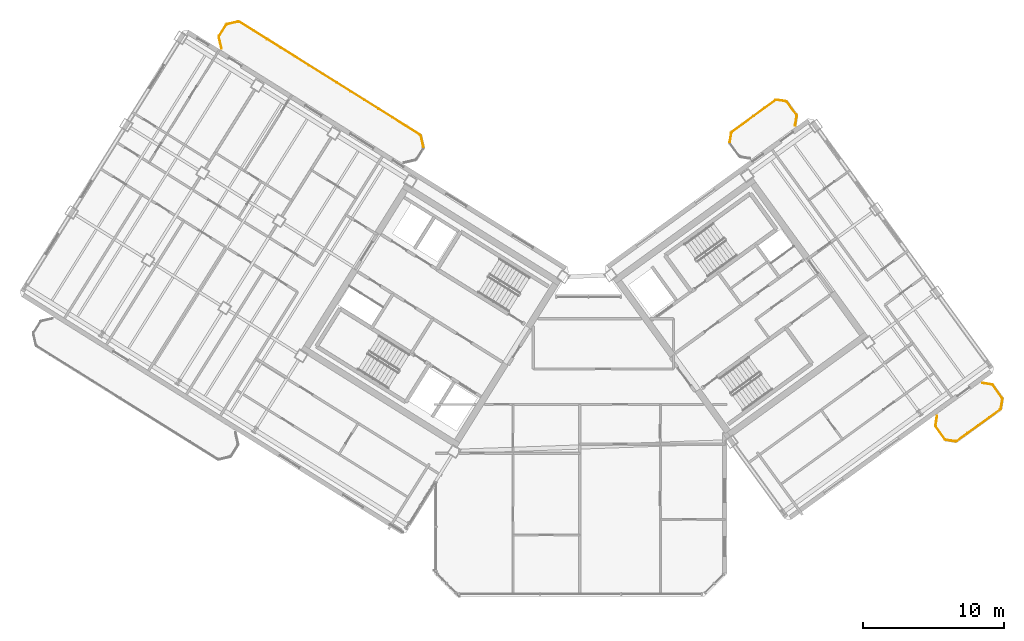
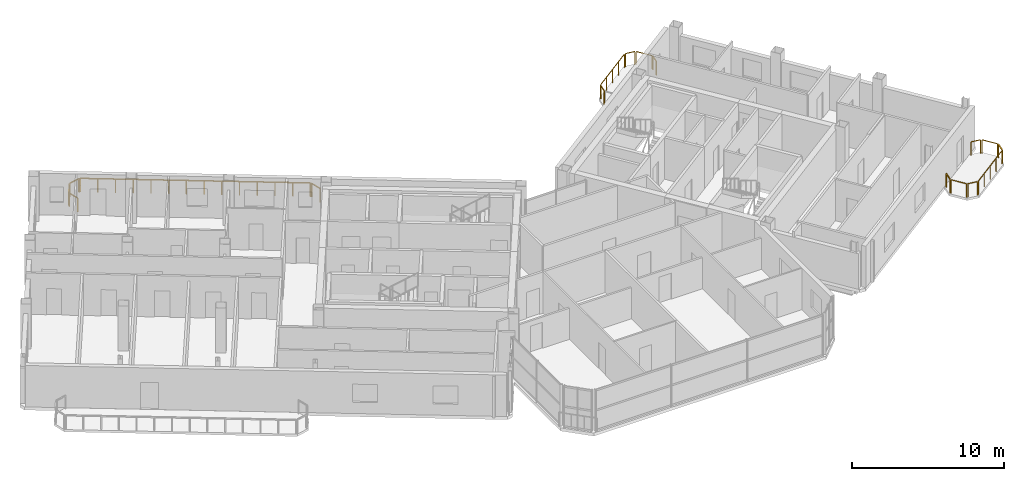
# One storey, part 25 of 25: 17 railings.
"""IFC4 building model written with IfcOpenShell, lengths in metres."""

from ifc_helpers import new_model, si_unit, direction, frame, origin, origin_2d, place, context, subcontext, project, spatial, rectangle, extrude, source, transform, mapped, material, type_object, element, save


model = new_model("IFC4")

# Units and contexts
model_context = context("Model", 3, precision=1e-05, world=origin(), true_north=direction((0.0, 1.0)))
body_context = subcontext(model_context, "Body", "Model", "MODEL_VIEW")
ifc_project = project(units=[si_unit("LENGTHUNIT", "METRE"), si_unit("AREAUNIT", "SQUARE_METRE"), si_unit("VOLUMEUNIT", "CUBIC_METRE"), si_unit("PLANEANGLEUNIT", "RADIAN"), si_unit("MASSUNIT", "GRAM", prefix="KILO")], contexts=[model_context])

# Site, building, storey
site_placement = place(None, origin())
site = spatial("IfcSite", under=ifc_project, at=site_placement, CompositionType="ELEMENT")
building_placement = place(site_placement, origin())
building = spatial("IfcBuilding", under=site, at=building_placement, Name="Tlacorven Tower", CompositionType="ELEMENT")
storey_placement = place(building_placement, frame((0.0, 0.0, 251.10009765625)))
storey = spatial("IfcBuildingStorey", under=building, at=storey_placement, Name="L63", CompositionType="ELEMENT", Elevation=251.10009765625)

# Railings
ifc_material = material(Name="Aluminium and painted steel balustrade", Category="steel")
railing_type = type_object("IfcRailingType", Name="RL-BAL-1100", PredefinedType="BALUSTRADE", material=ifc_material)
shared_shape_1 = source(origin(), body_context, "Body", "SweptSolid", [
    extrude(rectangle(XDim=0.048095703125, YDim=0.048095703125, at=origin_2d()), frame((0.0, 0.0, 1.076171875), z_axis=(0.225058334816, -0.974345290916, 0.0), x_axis=(0.974345290916, 0.225058334816, 0.0)), (0.0, 0.0, 1.0), 0.80712890625),
    extrude(rectangle(XDim=0.0419921875, YDim=0.0419921875, at=origin_2d()), origin(), (0.0, 0.0, 1.0), 1.052001953125),
    extrude(rectangle(XDim=0.0419921875, YDim=0.0419921875, at=origin_2d()), frame((0.181640625, -0.786376953125, 0.0)), (0.0, 0.0, 1.0), 1.052001953125),
])
railing_1_placement = place(storey_placement, frame((30.6796875, 34.466064453125, 0.0)))
element("IfcRailing", 1, at=railing_1_placement, inside=storey, type_object=railing_type, Name="BAL-L63-W-IN Guard Railing 1", PredefinedType="BALUSTRADE", context=body_context, shape_type="MappedRepresentation", body=[
    mapped(shared_shape_1, transform((0.0, 0.0, 0.0), scale=1.0)),
])
shared_shape_2 = source(origin(), body_context, "Body", "SweptSolid", [
    extrude(rectangle(XDim=0.048095703125, YDim=0.048095703125, at=origin_2d()), frame((0.0, 0.0, 1.076171875), z_axis=(-0.225058334816, 0.974345290916, 0.0), x_axis=(-0.974345290916, -0.225058334816, 0.0)), (0.0, 0.0, 1.0), 0.80712890625),
    extrude(rectangle(XDim=0.0419921875, YDim=0.0419921875, at=origin_2d()), origin(), (0.0, 0.0, 1.0), 1.052001953125),
    extrude(rectangle(XDim=0.0419921875, YDim=0.0419921875, at=origin_2d()), frame((-0.181640625, 0.786376953125, 0.0)), (0.0, 0.0, 1.0), 1.052001953125),
])
railing_2_placement = place(storey_placement, frame((16.5361328125, 40.68115234375, 0.0)))
element("IfcRailing", 2, at=railing_2_placement, inside=storey, type_object=railing_type, Name="BAL-L63-W-IN Guard Railing 4", PredefinedType="BALUSTRADE", context=body_context, shape_type="MappedRepresentation", body=[
    mapped(shared_shape_2, transform((0.0, 0.0, 0.0), scale=1.0)),
])
shared_shape_3 = source(origin(), body_context, "Body", "SweptSolid", [
    extrude(rectangle(XDim=0.048095703125, YDim=0.048095703125, at=origin_2d()), frame((0.0, 0.0, 1.076171875), z_axis=(0.52987865805, 0.848073468364, 0.0), x_axis=(-0.848073468364, 0.52987865805, 0.0)), (0.0, 0.0, 1.0), 0.912353515625),
    extrude(rectangle(XDim=0.0419921875, YDim=0.0419921875, at=origin_2d()), origin(), (0.0, 0.0, 1.0), 1.052001953125),
    extrude(rectangle(XDim=0.0419921875, YDim=0.0419921875, at=origin_2d()), frame((0.4833984375, 0.773681640625, 0.0)), (0.0, 0.0, 1.0), 1.052001953125),
])
railing_3_placement = place(storey_placement, frame((16.369873046875, 41.55859375, 0.0)))
element("IfcRailing", 3, at=railing_3_placement, inside=storey, type_object=railing_type, Name="BAL-L63-W-IN Guard Railing 5", PredefinedType="BALUSTRADE", context=body_context, shape_type="MappedRepresentation", body=[
    mapped(shared_shape_3, transform((0.0, 0.0, 0.0), scale=1.0)),
])
shared_shape_4 = source(origin(), body_context, "Body", "SweptSolid", [
    extrude(rectangle(XDim=0.048095703125, YDim=0.048095703125, at=origin_2d()), frame((0.0, 0.0, 1.076171875), z_axis=(0.974411586182, 0.224771129628, 0.0), x_axis=(-0.224771129628, 0.974411586182, 0.0)), (0.0, 0.0, 1.0), 0.80712890625),
    extrude(rectangle(XDim=0.0419921875, YDim=0.0419921875, at=origin_2d()), origin(), (0.0, 0.0, 1.0), 1.052001953125),
    extrude(rectangle(XDim=0.0419921875, YDim=0.0419921875, at=origin_2d()), frame((0.786376953125, 0.181396484375, 0.0)), (0.0, 0.0, 1.0), 1.052001953125),
])
railing_4_placement = place(storey_placement, frame((16.928466796875, 42.385986328125, 0.0)))
element("IfcRailing", 4, at=railing_4_placement, inside=storey, type_object=railing_type, Name="BAL-L63-W-IN Guard Railing 6", PredefinedType="BALUSTRADE", context=body_context, shape_type="MappedRepresentation", body=[
    mapped(shared_shape_4, transform((0.0, 0.0, 0.0), scale=1.0)),
])
shared_shape_5 = source(origin(), body_context, "Body", "SweptSolid", [
    extrude(rectangle(XDim=0.048095703125, YDim=0.048095703125, at=origin_2d()), frame((0.0, 0.0, 1.076171875), z_axis=(0.848044572804, -0.529924902733, 0.0), x_axis=(0.529924902733, 0.848044572804, 0.0)), (0.0, 0.0, 1.0), 15.1171875),
    extrude(rectangle(XDim=0.0419921875, YDim=0.0419921875, at=origin_2d()), origin(), (0.0, 0.0, 1.0), 1.052001953125),
    extrude(rectangle(XDim=0.0419921875, YDim=0.0419921875, at=origin_2d()), frame((0.986083984375, -0.6162109375, 0.0)), (0.0, 0.0, 1.0), 1.052001953125),
    extrude(rectangle(XDim=0.0419921875, YDim=0.0419921875, at=origin_2d()), frame((1.972412109375, -1.232421875, 0.0)), (0.0, 0.0, 1.0), 1.052001953125),
    extrude(rectangle(XDim=0.0419921875, YDim=0.0419921875, at=origin_2d()), frame((2.95849609375, -1.8486328125, 0.0)), (0.0, 0.0, 1.0), 1.052001953125),
    extrude(rectangle(XDim=0.0419921875, YDim=0.0419921875, at=origin_2d()), frame((3.944580078125, -2.46484375, 0.0)), (0.0, 0.0, 1.0), 1.052001953125),
    extrude(rectangle(XDim=0.0419921875, YDim=0.0419921875, at=origin_2d()), frame((4.930908203125, -3.0810546875, 0.0)), (0.0, 0.0, 1.0), 1.052001953125),
    extrude(rectangle(XDim=0.0419921875, YDim=0.0419921875, at=origin_2d()), frame((5.9169921875, -3.697265625, 0.0)), (0.0, 0.0, 1.0), 1.052001953125),
    extrude(rectangle(XDim=0.0419921875, YDim=0.0419921875, at=origin_2d()), frame((6.903076171875, -4.313720703125, 0.0)), (0.0, 0.0, 1.0), 1.052001953125),
    extrude(rectangle(XDim=0.0419921875, YDim=0.0419921875, at=origin_2d()), frame((7.88916015625, -4.929931640625, 0.0)), (0.0, 0.0, 1.0), 1.052001953125),
    extrude(rectangle(XDim=0.0419921875, YDim=0.0419921875, at=origin_2d()), frame((8.87548828125, -5.546142578125, 0.0)), (0.0, 0.0, 1.0), 1.052001953125),
    extrude(rectangle(XDim=0.0419921875, YDim=0.0419921875, at=origin_2d()), frame((9.861572265625, -6.162353515625, 0.0)), (0.0, 0.0, 1.0), 1.052001953125),
    extrude(rectangle(XDim=0.0419921875, YDim=0.0419921875, at=origin_2d()), frame((10.84765625, -6.778564453125, 0.0)), (0.0, 0.0, 1.0), 1.052001953125),
    extrude(rectangle(XDim=0.0419921875, YDim=0.0419921875, at=origin_2d()), frame((11.833984375, -7.394775390625, 0.0)), (0.0, 0.0, 1.0), 1.052001953125),
    extrude(rectangle(XDim=0.0419921875, YDim=0.0419921875, at=origin_2d()), frame((12.820068359375, -8.010986328125, 0.0)), (0.0, 0.0, 1.0), 1.052001953125),
])
railing_5_placement = place(storey_placement, frame((17.805908203125, 42.55224609375, 0.0)))
element("IfcRailing", 5, at=railing_5_placement, inside=storey, type_object=railing_type, Name="BAL-L63-W-IN Guard Railing 7", PredefinedType="BALUSTRADE", context=body_context, shape_type="MappedRepresentation", body=[
    mapped(shared_shape_5, transform((0.0, 0.0, 0.0), scale=1.0)),
])
shared_shape_6 = source(origin(), body_context, "Body", "SweptSolid", [
    extrude(rectangle(XDim=0.048095703125, YDim=0.048095703125, at=origin_2d()), frame((0.0, 0.0, 1.076171875), z_axis=(-0.987661653326, 0.156602868908, 0.0), x_axis=(-0.156602868908, -0.987661653326, 0.0)), (0.0, 0.0, 1.0), 0.665771484375),
    extrude(rectangle(XDim=0.0419921875, YDim=0.0419921875, at=origin_2d()), origin(), (0.0, 0.0, 1.0), 1.052001953125),
    extrude(rectangle(XDim=0.0419921875, YDim=0.0419921875, at=origin_2d()), frame((-0.657470703125, 0.104248046875, 0.0)), (0.0, 0.0, 1.0), 1.052001953125),
])
railing_6_placement = place(storey_placement, frame((68.59521484375, 12.7919921875, 0.0)))
element("IfcRailing", 6, at=railing_6_placement, inside=storey, type_object=railing_type, Name="BAL-L63-E-OUT Guard Railing 1", PredefinedType="BALUSTRADE", context=body_context, shape_type="MappedRepresentation", body=[
    mapped(shared_shape_6, transform((0.0, 0.0, 0.0), scale=1.0)),
])
shared_shape_7 = source(origin(), body_context, "Body", "SweptSolid", [
    extrude(rectangle(XDim=0.048095703125, YDim=0.048095703125, at=origin_2d()), frame((0.0, 0.0, 1.076171875), z_axis=(-0.58788449985, 0.808944877501, 0.0), x_axis=(-0.808944877501, -0.58788449985, 0.0)), (0.0, 0.0, 1.0), 1.112060546875),
    extrude(rectangle(XDim=0.0419921875, YDim=0.0419921875, at=origin_2d()), origin(), (0.0, 0.0, 1.0), 1.052001953125),
    extrude(rectangle(XDim=0.0419921875, YDim=0.0419921875, at=origin_2d()), frame((-0.65380859375, 0.899658203125, 0.0)), (0.0, 0.0, 1.0), 1.052001953125),
])
railing_7_placement = place(storey_placement, frame((67.85888671875, 12.944580078125, 0.0)))
element("IfcRailing", 7, at=railing_7_placement, inside=storey, type_object=railing_type, Name="BAL-L63-E-OUT Guard Railing 2", PredefinedType="BALUSTRADE", context=body_context, shape_type="MappedRepresentation", body=[
    mapped(shared_shape_7, transform((0.0, 0.0, 0.0), scale=1.0)),
])
shared_shape_8 = source(origin(), body_context, "Body", "SweptSolid", [
    extrude(rectangle(XDim=0.048095703125, YDim=0.048095703125, at=origin_2d()), frame((0.0, 0.0, 1.076171875), z_axis=(0.156602868908, 0.987661653326, 0.0), x_axis=(-0.987661653326, 0.156602868908, 0.0)), (0.0, 0.0, 1.0), 0.665771484375),
    extrude(rectangle(XDim=0.0419921875, YDim=0.0419921875, at=origin_2d()), origin(), (0.0, 0.0, 1.0), 1.052001953125),
    extrude(rectangle(XDim=0.0419921875, YDim=0.0419921875, at=origin_2d()), frame((0.104248046875, 0.657470703125, 0.0)), (0.0, 0.0, 1.0), 1.052001953125),
])
railing_8_placement = place(storey_placement, frame((67.18359375, 13.93408203125, 0.0)))
element("IfcRailing", 8, at=railing_8_placement, inside=storey, type_object=railing_type, Name="BAL-L63-E-OUT Guard Railing 3", PredefinedType="BALUSTRADE", context=body_context, shape_type="MappedRepresentation", body=[
    mapped(shared_shape_8, transform((0.0, 0.0, 0.0), scale=1.0)),
])
shared_shape_9 = source(origin(), body_context, "Body", "SweptSolid", [
    extrude(rectangle(XDim=0.048095703125, YDim=0.048095703125, at=origin_2d()), frame((0.0, 0.0, 1.076171875), z_axis=(0.987718317463, -0.156245081039, 0.0), x_axis=(0.156245081039, 0.987718317463, 0.0)), (0.0, 0.0, 1.0), 0.66552734375),
    extrude(rectangle(XDim=0.0419921875, YDim=0.0419921875, at=origin_2d()), origin(), (0.0, 0.0, 1.0), 1.052001953125),
    extrude(rectangle(XDim=0.0419921875, YDim=0.0419921875, at=origin_2d()), frame((0.657470703125, -0.10400390625, 0.0)), (0.0, 0.0, 1.0), 1.052001953125),
])
railing_9_placement = place(storey_placement, frame((70.513916015625, 16.935546875, 0.0)))
element("IfcRailing", 9, at=railing_9_placement, inside=storey, type_object=railing_type, Name="BAL-L63-E-OUT Guard Railing 4", PredefinedType="BALUSTRADE", context=body_context, shape_type="MappedRepresentation", body=[
    mapped(shared_shape_9, transform((0.0, 0.0, 0.0), scale=1.0)),
])
shared_shape_10 = source(origin(), body_context, "Body", "SweptSolid", [
    extrude(rectangle(XDim=0.048095703125, YDim=0.048095703125, at=origin_2d()), frame((0.0, 0.0, 1.076171875), z_axis=(0.58788449985, -0.808944877501, 0.0), x_axis=(0.808944877501, 0.58788449985, 0.0)), (0.0, 0.0, 1.0), 1.112060546875),
    extrude(rectangle(XDim=0.0419921875, YDim=0.0419921875, at=origin_2d()), origin(), (0.0, 0.0, 1.0), 1.052001953125),
    extrude(rectangle(XDim=0.0419921875, YDim=0.0419921875, at=origin_2d()), frame((0.65380859375, -0.899658203125, 0.0)), (0.0, 0.0, 1.0), 1.052001953125),
])
for number, where, name in (
    (10, (71.250244140625, 16.783203125, 0.0), "BAL-L63-E-OUT Guard Railing 5"),
    (11, (56.658447265625, 36.866943359375, 0.0), "BAL-L63-E-IN Guard Railing 6"),
):
    element("IfcRailing", number, at=place(storey_placement, frame(where)), inside=storey, type_object=railing_type, Name=name, PredefinedType="BALUSTRADE", context=body_context, shape_type="MappedRepresentation", body=[
        mapped(shared_shape_10, transform((0.0, 0.0, 0.0), scale=1.0)),
    ])
shared_shape_11 = source(origin(), body_context, "Body", "SweptSolid", [
    extrude(rectangle(XDim=0.048095703125, YDim=0.048095703125, at=origin_2d()), frame((0.0, 0.0, 1.076171875), z_axis=(-0.156188498702, -0.987727266442, 0.0), x_axis=(0.987727266442, -0.156188498702, 0.0)), (0.0, 0.0, 1.0), 0.665771484375),
    extrude(rectangle(XDim=0.0419921875, YDim=0.0419921875, at=origin_2d()), origin(), (0.0, 0.0, 1.0), 1.052001953125),
    extrude(rectangle(XDim=0.0419921875, YDim=0.0419921875, at=origin_2d()), frame((-0.10400390625, -0.65771484375, 0.0)), (0.0, 0.0, 1.0), 1.052001953125),
])
railing_10_placement = place(storey_placement, frame((71.925537109375, 15.793701171875, 0.0)))
element("IfcRailing", 12, at=railing_10_placement, inside=storey, type_object=railing_type, Name="BAL-L63-E-OUT Guard Railing 6", PredefinedType="BALUSTRADE", context=body_context, shape_type="MappedRepresentation", body=[
    mapped(shared_shape_11, transform((0.0, 0.0, 0.0), scale=1.0)),
])
shared_shape_12 = source(origin(), body_context, "Body", "SweptSolid", [
    extrude(rectangle(XDim=0.048095703125, YDim=0.048095703125, at=origin_2d()), frame((0.0, 0.0, 1.076171875), z_axis=(-0.809018102573, -0.587783726986, 0.0), x_axis=(0.587783726986, -0.809018102573, 0.0)), (0.0, 0.0, 1.0), 3.817138671875),
    extrude(rectangle(XDim=0.0419921875, YDim=0.0419921875, at=origin_2d()), origin(), (0.0, 0.0, 1.0), 1.052001953125),
    extrude(rectangle(XDim=0.0419921875, YDim=0.0419921875, at=origin_2d()), frame((-0.77197265625, -0.56103515625, 0.0)), (0.0, 0.0, 1.0), 1.052001953125),
    extrude(rectangle(XDim=0.0419921875, YDim=0.0419921875, at=origin_2d()), frame((-1.5439453125, -1.121826171875, 0.0)), (0.0, 0.0, 1.0), 1.052001953125),
    extrude(rectangle(XDim=0.0419921875, YDim=0.0419921875, at=origin_2d()), frame((-2.316162109375, -1.6826171875, 0.0)), (0.0, 0.0, 1.0), 1.052001953125),
    extrude(rectangle(XDim=0.0419921875, YDim=0.0419921875, at=origin_2d()), frame((-3.088134765625, -2.24365234375, 0.0)), (0.0, 0.0, 1.0), 1.052001953125),
])
railing_11_placement = place(storey_placement, frame((71.773193359375, 15.057373046875, 0.0)))
element("IfcRailing", 13, at=railing_11_placement, inside=storey, type_object=railing_type, Name="BAL-L63-E-OUT Guard Railing 7", PredefinedType="BALUSTRADE", context=body_context, shape_type="MappedRepresentation", body=[
    mapped(shared_shape_12, transform((0.0, 0.0, 0.0), scale=1.0)),
])
shared_shape_13 = source(origin(), body_context, "Body", "SweptSolid", [
    extrude(rectangle(XDim=0.048095703125, YDim=0.048095703125, at=origin_2d()), frame((0.0, 0.0, 1.076171875), z_axis=(0.156546163506, 0.987670642822, 0.0), x_axis=(-0.987670642822, 0.156546163506, 0.0)), (0.0, 0.0, 1.0), 0.666015625),
    extrude(rectangle(XDim=0.0419921875, YDim=0.0419921875, at=origin_2d()), origin(), (0.0, 0.0, 1.0), 1.052001953125),
    extrude(rectangle(XDim=0.0419921875, YDim=0.0419921875, at=origin_2d()), frame((0.104248046875, 0.65771484375, 0.0)), (0.0, 0.0, 1.0), 1.052001953125),
])
railing_12_placement = place(storey_placement, frame((52.591796875, 34.017822265625, 0.0)))
element("IfcRailing", 14, at=railing_12_placement, inside=storey, type_object=railing_type, Name="BAL-L63-E-IN Guard Railing 3", PredefinedType="BALUSTRADE", context=body_context, shape_type="MappedRepresentation", body=[
    mapped(shared_shape_13, transform((0.0, 0.0, 0.0), scale=1.0)),
])
shared_shape_14 = source(origin(), body_context, "Body", "SweptSolid", [
    extrude(rectangle(XDim=0.048095703125, YDim=0.048095703125, at=origin_2d()), frame((0.0, 0.0, 1.076171875), z_axis=(0.809040198054, 0.587753313843, 0.0), x_axis=(-0.587753313843, 0.809040198054, 0.0)), (0.0, 0.0, 1.0), 3.8173828125),
    extrude(rectangle(XDim=0.0419921875, YDim=0.0419921875, at=origin_2d()), origin(), (0.0, 0.0, 1.0), 1.052001953125),
    extrude(rectangle(XDim=0.0419921875, YDim=0.0419921875, at=origin_2d()), frame((0.77197265625, 0.56103515625, 0.0)), (0.0, 0.0, 1.0), 1.052001953125),
    extrude(rectangle(XDim=0.0419921875, YDim=0.0419921875, at=origin_2d()), frame((1.544189453125, 1.121826171875, 0.0)), (0.0, 0.0, 1.0), 1.052001953125),
    extrude(rectangle(XDim=0.0419921875, YDim=0.0419921875, at=origin_2d()), frame((2.31640625, 1.6826171875, 0.0)), (0.0, 0.0, 1.0), 1.052001953125),
    extrude(rectangle(XDim=0.0419921875, YDim=0.0419921875, at=origin_2d()), frame((3.08837890625, 2.24365234375, 0.0)), (0.0, 0.0, 1.0), 1.052001953125),
])
railing_13_placement = place(storey_placement, frame((52.744140625, 34.754150390625, 0.0)))
element("IfcRailing", 15, at=railing_13_placement, inside=storey, type_object=railing_type, Name="BAL-L63-E-IN Guard Railing 4", PredefinedType="BALUSTRADE", context=body_context, shape_type="MappedRepresentation", body=[
    mapped(shared_shape_14, transform((0.0, 0.0, 0.0), scale=1.0)),
])
shared_shape_15 = source(origin(), body_context, "Body", "SweptSolid", [
    extrude(rectangle(XDim=0.048095703125, YDim=0.048095703125, at=origin_2d()), frame((0.0, 0.0, 1.076171875), z_axis=(0.987670642822, -0.156546163506, 0.0), x_axis=(0.156546163506, 0.987670642822, 0.0)), (0.0, 0.0, 1.0), 0.666015625),
    extrude(rectangle(XDim=0.0419921875, YDim=0.0419921875, at=origin_2d()), origin(), (0.0, 0.0, 1.0), 1.052001953125),
    extrude(rectangle(XDim=0.0419921875, YDim=0.0419921875, at=origin_2d()), frame((0.65771484375, -0.104248046875, 0.0)), (0.0, 0.0, 1.0), 1.052001953125),
])
railing_14_placement = place(storey_placement, frame((55.922119140625, 37.01953125, 0.0)))
element("IfcRailing", 16, at=railing_14_placement, inside=storey, type_object=railing_type, Name="BAL-L63-E-IN Guard Railing 5", PredefinedType="BALUSTRADE", context=body_context, shape_type="MappedRepresentation", body=[
    mapped(shared_shape_15, transform((0.0, 0.0, 0.0), scale=1.0)),
])
shared_shape_16 = source(origin(), body_context, "Body", "SweptSolid", [
    extrude(rectangle(XDim=0.048095703125, YDim=0.048095703125, at=origin_2d()), frame((0.0, 0.0, 1.076171875), z_axis=(-0.156245081039, -0.987718317463, 0.0), x_axis=(0.987718317463, -0.156245081039, 0.0)), (0.0, 0.0, 1.0), 0.66552734375),
    extrude(rectangle(XDim=0.0419921875, YDim=0.0419921875, at=origin_2d()), origin(), (0.0, 0.0, 1.0), 1.052001953125),
    extrude(rectangle(XDim=0.0419921875, YDim=0.0419921875, at=origin_2d()), frame((-0.10400390625, -0.657470703125, 0.0)), (0.0, 0.0, 1.0), 1.052001953125),
])
railing_15_placement = place(storey_placement, frame((57.333740234375, 35.87744140625, 0.0)))
element("IfcRailing", 17, at=railing_15_placement, inside=storey, type_object=railing_type, Name="BAL-L63-E-IN Guard Railing 7", PredefinedType="BALUSTRADE", context=body_context, shape_type="MappedRepresentation", body=[
    mapped(shared_shape_16, transform((0.0, 0.0, 0.0), scale=1.0)),
])

save(model, "model.ifc")
